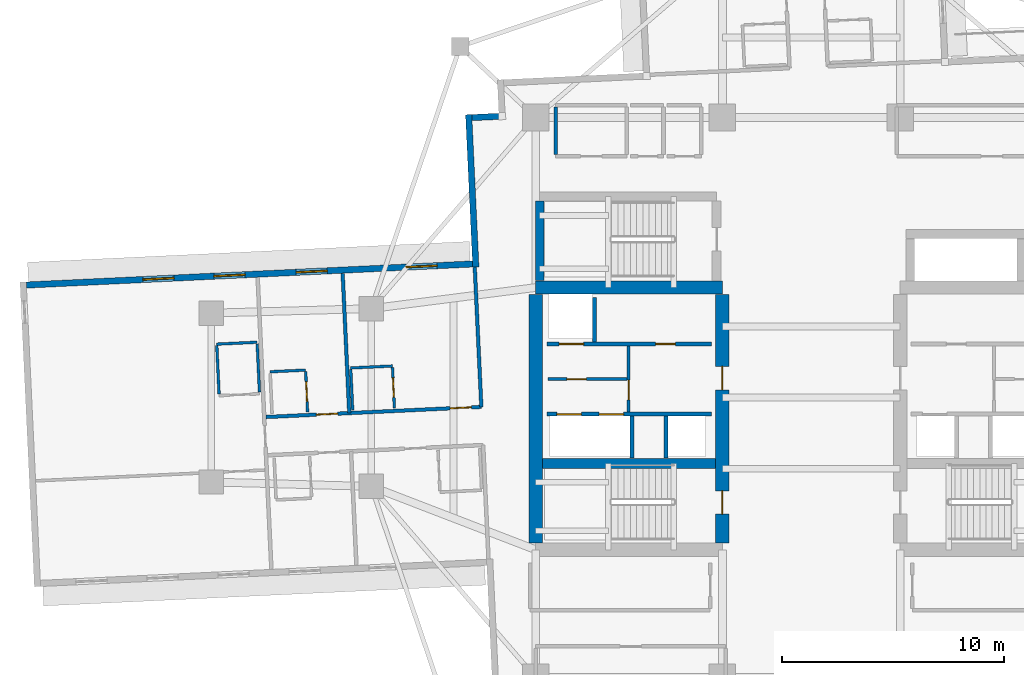
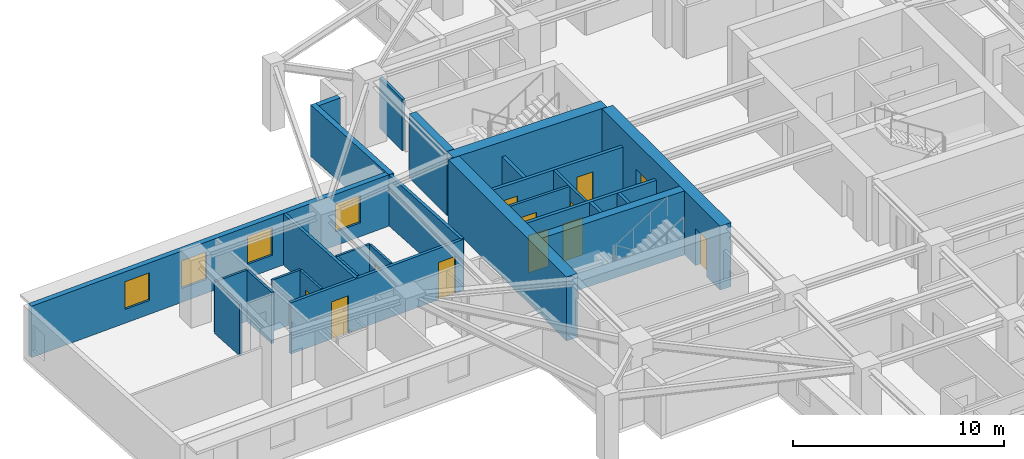
# One storey, part 5 of 14: 27 walls, 12 doors, 4 windows, 16 openings.
"""IFC4 building model written with IfcOpenShell, lengths in metres."""

from ifc_helpers import new_model, si_unit, direction, frame, frame_2d, origin, place, context, subcontext, project, spatial, rectangle, extrude, material, layer, layer_set, type_object, element, fill, save


model = new_model("IFC4")

# Units and contexts
model_context = context("Model", 3, precision=1e-05, world=origin(), true_north=direction((0.0, 1.0)))
body_context = subcontext(model_context, "Body", "Model", "MODEL_VIEW")
ifc_project = project(units=[si_unit("LENGTHUNIT", "METRE"), si_unit("AREAUNIT", "SQUARE_METRE"), si_unit("VOLUMEUNIT", "CUBIC_METRE"), si_unit("PLANEANGLEUNIT", "RADIAN"), si_unit("MASSUNIT", "GRAM", prefix="KILO")], contexts=[model_context])

# Site, building, storey
site_placement = place(None, origin())
site = spatial("IfcSite", under=ifc_project, at=site_placement, CompositionType="ELEMENT")
building_placement = place(site_placement, origin())
building = spatial("IfcBuilding", under=site, at=building_placement, Name="Qingluan Cross Belvedere", CompositionType="ELEMENT")
storey_placement = place(building_placement, frame((0.0, 0.0, 132.0)))
storey = spatial("IfcBuildingStorey", under=building, at=storey_placement, Name="L33", CompositionType="ELEMENT", Elevation=132.0)

# Walls
ifc_material_1 = material(Name="Concrete C50", Category="concrete")
ifc_layer_1 = layer(ifc_material_1, 0.449951171875, Name="CoreShearWall_450")
ifc_layer_set_1 = layer_set([ifc_layer_1], Name="Concrete C50")
wall_type_1 = type_object("IfcWallType", Name="CoreShearWall_450", PredefinedType="SHEAR", material=ifc_layer_set_1)
wall_1_placement = place(storey_placement, frame((-12.094970703125, -2.9599609375, 0.0), z_axis=(0.0, 0.0, 1.0), x_axis=(1.0, 0.0, 0.0)))
element("IfcWall", 1, at=wall_1_placement, inside=storey, type_object=wall_type_1, Name="Split core W shear wall L33-M", PredefinedType="SHEAR", context=body_context, shape_type="SweptSolid", body=[
    extrude(rectangle(XDim=7.7900390625, YDim=0.449951171875, at=frame_2d((3.89501953125, 0.0))), origin(), (0.0, 0.0, 1.0), 3.699951171875),
])
wall_2_placement = place(storey_placement, frame((-12.219970703125, 5.2548828125, 0.0), z_axis=(0.0, 0.0, 1.0), x_axis=(0.0, 1.0, 0.0)))
element("IfcWall", 2, at=wall_2_placement, inside=storey, type_object=wall_type_1, Name="Stair ST3 structural wall W L33", PredefinedType="SHEAR", context=body_context, shape_type="SweptSolid", body=[
    extrude(rectangle(XDim=3.580078125, YDim=0.39990234375, at=frame_2d((1.7900390625, 0.0))), origin(), (0.0, 0.0, 1.0), 3.699951171875),
])
ifc_material_2 = material(Name="Concrete C60", Category="concrete")
ifc_layer_2 = layer(ifc_material_2, 0.60009765625, Name="CoreShearWall_600")
ifc_layer_set_2 = layer_set([ifc_layer_2], Name="Concrete C60")
wall_type_2 = type_object("IfcWallType", Name="CoreShearWall_600", PredefinedType="SHEAR", material=ifc_layer_set_2)
wall_3_placement = place(storey_placement, frame((-12.39990234375, 4.949951171875, 0.0), z_axis=(0.0, 0.0, 1.0), x_axis=(1.0, 0.0, 0.0)))
element("IfcWall", 3, at=wall_3_placement, inside=storey, type_object=wall_type_2, Name="Split core W shear wall L33-N", PredefinedType="SHEAR", context=body_context, shape_type="SweptSolid", body=[
    extrude(rectangle(XDim=8.39990234375, YDim=0.60009765625, at=frame_2d((4.199951171875, 0.0))), origin(), (0.0, 0.0, 1.0), 3.699951171875),
])
wall_4_placement = place(storey_placement, frame((-12.39990234375, -6.544921875, 0.0), z_axis=(0.0, 0.0, 1.0), x_axis=(0.0, 1.0, 0.0)))
element("IfcWall", 4, at=wall_4_placement, inside=storey, type_object=wall_type_2, Name="Split core W shear wall L33-W", PredefinedType="SHEAR", context=body_context, shape_type="SweptSolid", body=[
    extrude(rectangle(XDim=11.18994140625, YDim=0.60009765625, at=frame_2d((5.594970703125, 0.0))), origin(), (0.0, 0.0, 1.0), 3.699951171875),
])

# Wall, openings, doors
wall_5_placement = place(storey_placement, frame((-4.0, -6.544921875, 0.0), z_axis=(0.0, 0.0, 1.0), x_axis=(0.0, 1.0, 0.0)))
wall_5 = element("IfcWall", 5, at=wall_5_placement, inside=storey, type_object=wall_type_2, Name="Split core W shear wall L33-E", PredefinedType="SHEAR", context=body_context, shape_type="SweptSolid", body=[
    extrude(rectangle(XDim=11.18994140625, YDim=0.60009765625, at=frame_2d((5.594970703125, 0.0))), origin(), (0.0, 0.0, 1.0), 3.699951171875),
])
opening_1_placement = place(wall_5_placement, frame((1.294921875, 0.0, 0.0)))
opening_1 = element("IfcOpeningElement", 6, at=opening_1_placement, cuts=wall_5, Name="Opening FD-B11", PredefinedType="OPENING", context=body_context, shape_type="SweptSolid", body=[
    extrude(rectangle(XDim=1.050048828125, YDim=2.14990234375, at=frame_2d((0.52490234375, 1.074951171875))), frame((0.0, 0.31005859375, 0.0), z_axis=(0.0, -1.0, 0.0), x_axis=(1.0, 0.0, 0.0)), (0.0, 0.0, 1.0), 0.6201171875),
])
opening_2_placement = place(wall_5_placement, frame((6.89501953125, 0.0, 0.0)))
opening_2 = element("IfcOpeningElement", 7, at=opening_2_placement, cuts=wall_5, Name="Opening FD-B11", PredefinedType="OPENING", context=body_context, shape_type="SweptSolid", body=[
    extrude(rectangle(XDim=1.050048828125, YDim=2.14990234375, at=frame_2d((0.52490234375, 1.074951171875))), frame((0.0, 0.31005859375, 0.0), z_axis=(0.0, -1.0, 0.0), x_axis=(1.0, 0.0, 0.0)), (0.0, 0.0, 1.0), 0.6201171875),
])
ifc_material_3 = material(Name="Steel Class B smoke-seal fire door", Category="steel")
door_type_1 = type_object("IfcDoorType", Name="StairLobbyFireDoor_FDB", OperationType="NOTDEFINED", PredefinedType="DOOR", material=ifc_material_3)
door_1_placement = place(opening_1_placement, origin())
door_1 = element("IfcDoor", 8, at=door_1_placement, inside=storey, type_object=door_type_1, Name="Smoke-proof stair ST1 fire door L33", OperationType="SINGLE_SWING_LEFT", OverallHeight=2.14990234375, OverallWidth=1.050048828125, PredefinedType="DOOR", context=body_context, shape_type="SweptSolid", body=[
    extrude(rectangle(XDim=1.050048828125, YDim=2.14990234375, at=frame_2d((0.52490234375, 1.074951171875))), frame((0.0, 0.02490234375, 0.0), z_axis=(0.0, -1.0, 0.0), x_axis=(1.0, 0.0, 0.0)), (0.0, 0.0, 1.0), 0.050048828125),
])
fill(opening_1, door_1)
door_2_placement = place(opening_2_placement, origin())
door_2 = element("IfcDoor", 9, at=door_2_placement, inside=storey, type_object=door_type_1, Name="Firefighting lobby West fire door L33", OperationType="SINGLE_SWING_LEFT", OverallHeight=2.14990234375, OverallWidth=1.050048828125, PredefinedType="DOOR", context=body_context, shape_type="SweptSolid", body=[
    extrude(rectangle(XDim=1.050048828125, YDim=2.14990234375, at=frame_2d((0.52490234375, 1.074951171875))), frame((0.0, 0.02490234375, 0.0), z_axis=(0.0, -1.0, 0.0), x_axis=(1.0, 0.0, 0.0)), (0.0, 0.0, 1.0), 0.050048828125),
])
fill(opening_2, door_2)

# Wall, opening, door
ifc_material_4 = material(Name="Gypsum plasterboard on steel stud acoustic partition", Category="steel")
ifc_layer_3 = layer(ifc_material_4, 0.159912109375, Name="CorridorPartition_160")
ifc_layer_set_3 = layer_set([ifc_layer_3], Name="Gypsum plasterboard on steel stud acoustic partition")
wall_type_3 = type_object("IfcWallType", Name="CorridorPartition_160", PredefinedType="PARTITIONING", material=ifc_layer_set_3)
wall_6_placement = place(storey_placement, frame((-11.85009765625, 0.830078125, 0.0), z_axis=(0.0, 0.0, 1.0), x_axis=(1.0, 0.0, 0.0)))
wall_6 = element("IfcWall", 10, at=wall_6_placement, inside=storey, type_object=wall_type_3, Name="Partition L33:w", PredefinedType="PARTITIONING", context=body_context, shape_type="SweptSolid", body=[
    extrude(rectangle(XDim=3.552001953125, YDim=0.139892578125, at=frame_2d((1.77587890625, 0.0))), origin(), (0.0, 0.0, 1.0), 2.9599609375),
])
opening_3_placement = place(wall_6_placement, frame((0.85009765625, 0.0, 0.0)))
opening_3 = element("IfcOpeningElement", 11, at=opening_3_placement, cuts=wall_6, Name="Opening FD-B10", PredefinedType="OPENING", context=body_context, shape_type="SweptSolid", body=[
    extrude(rectangle(XDim=0.8798828125, YDim=2.10009765625, at=frame_2d((0.43994140625, 1.050048828125))), frame((0.0, 0.079833984375, 0.0), z_axis=(0.0, -1.0, 0.0), x_axis=(1.0, 0.0, 0.0)), (0.0, 0.0, 1.0), 0.159912109375),
])
ifc_material_5 = material(Name="Steel Class B service fire door", Category="steel")
door_type_2 = type_object("IfcDoorType", Name="RiserServiceFireDoor_FDB", OperationType="NOTDEFINED", PredefinedType="DOOR", material=ifc_material_5)
door_3_placement = place(opening_3_placement, origin())
door_3 = element("IfcDoor", 12, at=door_3_placement, inside=storey, type_object=door_type_2, Name="Service closet inner door L33", OperationType="SINGLE_SWING_RIGHT", OverallHeight=2.10009765625, OverallWidth=0.8798828125, PredefinedType="DOOR", context=body_context, shape_type="SweptSolid", body=[
    extrude(rectangle(XDim=0.8798828125, YDim=2.10009765625, at=frame_2d((0.43994140625, 1.050048828125))), frame((0.0, 0.02490234375, 0.0), z_axis=(0.0, -1.0, 0.0), x_axis=(1.0, 0.0, 0.0)), (0.0, 0.0, 1.0), 0.050048828125),
])
fill(opening_3, door_3)

# Wall
wall_7_placement = place(storey_placement, frame((-11.5, 10.93505859375, 0.0), z_axis=(0.0, 0.0, 1.0), x_axis=(0.0, 1.0, 0.0)))
element("IfcWall", 13, at=wall_7_placement, inside=storey, type_object=wall_type_3, Name="Partition L33:q_nw_occ:W", PredefinedType="PARTITIONING", context=body_context, shape_type="SweptSolid", body=[
    extrude(rectangle(XDim=2.1298828125, YDim=0.159912109375, at=frame_2d((1.06494140625, 0.0))), origin(), (0.0, 0.0, 1.0), 2.9599609375),
])

# Wall, openings, doors
wall_8_placement = place(storey_placement, frame((-14.8466796875, -0.419921875, 0.0), z_axis=(0.0, 0.0, 1.0), x_axis=(-0.998890575268, -0.047091598416, 0.0)))
wall_8 = element("IfcWall", 14, at=wall_8_placement, inside=storey, type_object=wall_type_3, Name="Partition L33:W:c0", PredefinedType="PARTITIONING", context=body_context, shape_type="SweptSolid", body=[
    extrude(rectangle(XDim=9.699951171875, YDim=0.159912109375, at=frame_2d((4.85009765625, 0.0))), origin(), (0.0, 0.0, 1.0), 2.9599609375),
])
opening_4_placement = place(wall_8_placement, frame((0.449951171875, 0.0, 0.0)))
opening_4 = element("IfcOpeningElement", 15, at=opening_4_placement, cuts=wall_8, Name="Opening GD-10", PredefinedType="OPENING", context=body_context, shape_type="SweptSolid", body=[
    extrude(rectangle(XDim=0.9599609375, YDim=2.14990234375, at=frame_2d((0.47998046875, 1.074951171875))), frame((0.0, 0.08984375, 0.0), z_axis=(0.0, -1.0, 0.0), x_axis=(1.0, 0.0, 0.0)), (0.0, 0.0, 1.0), 0.179931640625),
])
opening_5_placement = place(wall_8_placement, frame((6.467041015625, 0.0, 0.0)))
opening_5 = element("IfcOpeningElement", 16, at=opening_5_placement, cuts=wall_8, Name="Opening GD-10", PredefinedType="OPENING", context=body_context, shape_type="SweptSolid", body=[
    extrude(rectangle(XDim=0.9599609375, YDim=2.14990234375, at=frame_2d((0.47998046875, 1.074951171875))), frame((0.0, 0.08984375, 0.0), z_axis=(0.0, -1.0, 0.0), x_axis=(1.0, 0.0, 0.0)), (0.0, 0.0, 1.0), 0.179931640625),
])
ifc_material_6 = material(Name="Timber oak fire-rated acoustic guestroom door", Category="wood")
door_type_3 = type_object("IfcDoorType", Name="GuestEntryDoor_FD60", OperationType="NOTDEFINED", PredefinedType="DOOR", material=ifc_material_6)
door_4_placement = place(opening_4_placement, origin())
door_4 = element("IfcDoor", 17, at=door_4_placement, inside=storey, type_object=door_type_3, Name="Guest entry fire door 3307", OperationType="SINGLE_SWING_RIGHT", OverallHeight=2.14990234375, OverallWidth=0.9599609375, PredefinedType="DOOR", context=body_context, shape_type="SweptSolid", body=[
    extrude(rectangle(XDim=0.9599609375, YDim=2.14990234375, at=frame_2d((0.47998046875, 1.074951171875))), frame((0.0, 0.02490234375, 0.0), z_axis=(0.0, -1.0, 0.0), x_axis=(1.0, 0.0, 0.0)), (0.0, 0.0, 1.0), 0.050048828125),
])
fill(opening_4, door_4)
door_5_placement = place(opening_5_placement, origin())
door_5 = element("IfcDoor", 18, at=door_5_placement, inside=storey, type_object=door_type_3, Name="Guest entry fire door 3308", OperationType="SINGLE_SWING_RIGHT", OverallHeight=2.14990234375, OverallWidth=0.9599609375, PredefinedType="DOOR", context=body_context, shape_type="SweptSolid", body=[
    extrude(rectangle(XDim=0.9599609375, YDim=2.14990234375, at=frame_2d((0.47998046875, 1.074951171875))), frame((0.0, 0.02490234375, 0.0), z_axis=(0.0, -1.0, 0.0), x_axis=(1.0, 0.0, 0.0)), (0.0, 0.0, 1.0), 0.050048828125),
])
fill(opening_5, door_5)

# Walls
for number, where, z_axis, x_axis, name in (
    (19, (-14.8466796875, -0.419921875, 0.0), (0.0, 0.0, 1.0), (-0.047104274115, 0.998889977605, 0.0), "Partition L33:W:s0"),
    (20, (-20.7900390625, -0.7001953125, 0.0), (0.0, 0.0, 1.0), (-0.047104274115, 0.998889977605, 0.0), "Partition L33:W:d0_0"),
):
    element("IfcWall", number, at=place(storey_placement, frame(where, z_axis=z_axis, x_axis=x_axis)), inside=storey, type_object=wall_type_3, Name=name, PredefinedType="PARTITIONING", context=body_context, shape_type="SweptSolid", body=[
        extrude(rectangle(XDim=6.292236328125, YDim=0.159912109375, at=frame_2d((3.14599609375, 0.0))), origin(), (0.0, 0.0, 1.0), 2.9599609375),
    ])

# Wall, opening, door
ifc_material_7 = material(Name="Moisture-resistant gypsum board lining")
ifc_layer_4 = layer(ifc_material_7, 0.1201171875, Name="EnsuiteWetPartition_120")
ifc_layer_set_4 = layer_set([ifc_layer_4], Name="Moisture-resistant gypsum board lining")
wall_type_4 = type_object("IfcWallType", Name="EnsuiteWetPartition_120", PredefinedType="PARTITIONING", material=ifc_layer_set_4)
wall_9_placement = place(storey_placement, frame((-18.759033203125, -0.464111328125, 0.0), z_axis=(0.0, 0.0, 1.0), x_axis=(-0.047087116047, 0.998890786574, 0.0)))
wall_9 = element("IfcWall", 21, at=wall_9_placement, inside=storey, type_object=wall_type_4, Name="Partition L33:W:bs0_0", PredefinedType="PARTITIONING", context=body_context, shape_type="SweptSolid", body=[
    extrude(rectangle(XDim=1.81982421875, YDim=0.1201171875, at=frame_2d((0.909912109375, 0.0))), origin(), (0.0, 0.0, 1.0), 2.9599609375),
])
opening_6_placement = place(wall_9_placement, frame((0.469970703125, 0.0, 0.0)))
opening_6 = element("IfcOpeningElement", 22, at=opening_6_placement, cuts=wall_9, Name="Opening BD-09", PredefinedType="OPENING", context=body_context, shape_type="SweptSolid", body=[
    extrude(rectangle(XDim=0.8798828125, YDim=2.10009765625, at=frame_2d((0.43994140625, 1.050048828125))), frame((0.0, 0.070068359375, 0.0), z_axis=(0.0, -1.0, 0.0), x_axis=(1.0, 0.0, 0.0)), (0.0, 0.0, 1.0), 0.14013671875),
])
ifc_material_8 = material(Name="Moisture-sealed timber en-suite door", Category="wood")
door_type_4 = type_object("IfcDoorType", Name="BathroomDoor_880", OperationType="NOTDEFINED", PredefinedType="DOOR", material=ifc_material_8)
door_6_placement = place(opening_6_placement, origin())
door_6 = element("IfcDoor", 23, at=door_6_placement, inside=storey, type_object=door_type_4, Name="Bathroom door 3307", OperationType="SINGLE_SWING_LEFT", OverallHeight=2.10009765625, OverallWidth=0.8798828125, PredefinedType="DOOR", context=body_context, shape_type="SweptSolid", body=[
    extrude(rectangle(XDim=0.8798828125, YDim=2.10009765625, at=frame_2d((0.43994140625, 1.050048828125))), frame((0.0, 0.02490234375, 0.0), z_axis=(0.0, -1.0, 0.0), x_axis=(1.0, 0.0, 0.0)), (0.0, 0.0, 1.0), 0.050048828125),
])
fill(opening_6, door_6)

# Walls
wall_10_placement = place(storey_placement, frame((-20.636962890625, -0.552734375, 0.0), z_axis=(0.0, 0.0, 1.0), x_axis=(-0.047087116047, 0.998890786574, 0.0)))
element("IfcWall", 24, at=wall_10_placement, inside=storey, type_object=wall_type_4, Name="Partition L33:W:bw0_0", PredefinedType="PARTITIONING", context=body_context, shape_type="SweptSolid", body=[
    extrude(rectangle(XDim=1.81982421875, YDim=0.1201171875, at=frame_2d((0.909912109375, 0.0))), origin(), (0.0, 0.0, 1.0), 2.9599609375),
])
wall_11_placement = place(storey_placement, frame((-18.847900390625, 1.418701171875, 0.0), z_axis=(0.0, 0.0, 1.0), x_axis=(-0.998888030748, -0.047145540913, 0.0)))
element("IfcWall", 25, at=wall_11_placement, inside=storey, type_object=wall_type_4, Name="Partition L33:W:bn0_0", PredefinedType="PARTITIONING", context=body_context, shape_type="SweptSolid", body=[
    extrude(rectangle(XDim=1.8798828125, YDim=0.1201171875, at=frame_2d((0.93994140625, 0.0))), origin(), (0.0, 0.0, 1.0), 2.9599609375),
])

# Wall, opening, door
wall_12_placement = place(storey_placement, frame((-22.66455078125, -0.6484375, 0.0), z_axis=(0.0, 0.0, 1.0), x_axis=(-0.047214641863, 0.998884766924, 0.0)))
wall_12 = element("IfcWall", 26, at=wall_12_placement, inside=storey, type_object=wall_type_4, Name="Partition L33:W:bs0_1", PredefinedType="PARTITIONING", context=body_context, shape_type="SweptSolid", body=[
    extrude(rectangle(XDim=1.820068359375, YDim=0.1201171875, at=frame_2d((0.91015625, 0.0))), origin(), (0.0, 0.0, 1.0), 2.9599609375),
])
opening_7_placement = place(wall_12_placement, frame((0.469970703125, 0.0, 0.0)))
opening_7 = element("IfcOpeningElement", 27, at=opening_7_placement, cuts=wall_12, Name="Opening BD-09", PredefinedType="OPENING", context=body_context, shape_type="SweptSolid", body=[
    extrude(rectangle(XDim=0.8798828125, YDim=2.10009765625, at=frame_2d((0.43994140625, 1.050048828125))), frame((0.0, 0.070068359375, 0.0), z_axis=(0.0, -1.0, 0.0), x_axis=(1.0, 0.0, 0.0)), (0.0, 0.0, 1.0), 0.14013671875),
])
door_7_placement = place(opening_7_placement, origin())
door_7 = element("IfcDoor", 28, at=door_7_placement, inside=storey, type_object=door_type_4, Name="Bathroom door 3308", OperationType="SINGLE_SWING_LEFT", OverallHeight=2.10009765625, OverallWidth=0.8798828125, PredefinedType="DOOR", context=body_context, shape_type="SweptSolid", body=[
    extrude(rectangle(XDim=0.8798828125, YDim=2.10009765625, at=frame_2d((0.43994140625, 1.050048828125))), frame((0.0, 0.02490234375, 0.0), z_axis=(0.0, -1.0, 0.0), x_axis=(1.0, 0.0, 0.0)), (0.0, 0.0, 1.0), 0.050048828125),
])
fill(opening_7, door_7)

# Walls
wall_13_placement = place(storey_placement, frame((-22.75341796875, 1.234619140625, 0.0), z_axis=(0.0, 0.0, 1.0), x_axis=(-0.998887730798, -0.047151895633, 0.0)))
element("IfcWall", 29, at=wall_13_placement, inside=storey, type_object=wall_type_4, Name="Partition L33:W:bn0_1", PredefinedType="PARTITIONING", context=body_context, shape_type="SweptSolid", body=[
    extrude(rectangle(XDim=1.599853515625, YDim=0.1201171875, at=frame_2d((0.7998046875, 0.0))), origin(), (0.0, 0.0, 1.0), 2.9599609375),
])
wall_14_placement = place(storey_placement, frame((-24.828857421875, 0.24072265625, 0.0), z_axis=(0.0, 0.0, 1.0), x_axis=(-0.047150103183, 0.998887815408, 0.0)))
element("IfcWall", 30, at=wall_14_placement, inside=storey, type_object=wall_type_4, Name="Partition L33:Wcap:b2a", PredefinedType="PARTITIONING", context=body_context, shape_type="SweptSolid", body=[
    extrude(rectangle(XDim=2.179931640625, YDim=0.1201171875, at=frame_2d((1.08984375, 0.0))), origin(), (0.0, 0.0, 1.0), 2.9599609375),
])
wall_15_placement = place(storey_placement, frame((-26.64697265625, 0.15478515625, 0.0), z_axis=(0.0, 0.0, 1.0), x_axis=(-0.047033094092, 0.998893331673, 0.0)))
element("IfcWall", 31, at=wall_15_placement, inside=storey, type_object=wall_type_4, Name="Partition L33:Wcap:b2b", PredefinedType="PARTITIONING", context=body_context, shape_type="SweptSolid", body=[
    extrude(rectangle(XDim=2.18017578125, YDim=0.1201171875, at=frame_2d((1.090087890625, 0.0))), origin(), (0.0, 0.0, 1.0), 2.9599609375),
])
wall_16_placement = place(storey_placement, frame((-24.934814453125, 2.48828125, 0.0), z_axis=(0.0, 0.0, 1.0), x_axis=(-0.998884766924, -0.047214641863, 0.0)))
element("IfcWall", 32, at=wall_16_placement, inside=storey, type_object=wall_type_4, Name="Partition L33:Wcap:b2n", PredefinedType="PARTITIONING", context=body_context, shape_type="SweptSolid", body=[
    extrude(rectangle(XDim=1.820068359375, YDim=0.1201171875, at=frame_2d((0.91015625, 0.0))), origin(), (0.0, 0.0, 1.0), 2.9599609375),
])

# Wall, openings, windows
ifc_material_9 = material(Name="Precast concrete C45", Category="concrete")
ifc_layer_5 = layer(ifc_material_9, 0.280029296875, Name="PrecastFacadeWall_280")
ifc_layer_set_5 = layer_set([ifc_layer_5], Name="Precast concrete C45")
wall_type_5 = type_object("IfcWallType", Name="PrecastFacadeWall_280", PredefinedType="STANDARD", material=ifc_layer_set_5)
wall_17_placement = place(storey_placement, frame((-15.239990234375, 6.0087890625, 0.0), z_axis=(0.0, 0.0, 1.0), x_axis=(-0.998890015344, -0.047103473814, 0.0)))
wall_17 = element("IfcWall", 33, at=wall_17_placement, inside=storey, type_object=wall_type_5, Name="Facade wall L33-WA", PredefinedType="STANDARD", context=body_context, shape_type="SweptSolid", body=[
    extrude(rectangle(XDim=20.099853515625, YDim=0.280029296875, at=frame_2d((10.0498046875, 0.0))), origin(), (0.0, 0.0, 1.0), 2.969970703125),
])
opening_8_placement = place(wall_17_placement, frame((1.60009765625, 0.0, 0.800048828125)))
opening_8 = element("IfcOpeningElement", 34, at=opening_8_placement, cuts=wall_17, Name="Opening W-01", PredefinedType="OPENING", context=body_context, shape_type="SweptSolid", body=[
    extrude(rectangle(XDim=1.39990234375, YDim=1.60009765625, at=frame_2d((0.699951171875, 0.800048828125))), frame((0.0, 0.14990234375, 0.0), z_axis=(0.0, -1.0, 0.0), x_axis=(1.0, 0.0, 0.0)), (0.0, 0.0, 1.0), 0.300048828125),
])
opening_9_placement = place(wall_17_placement, frame((6.550048828125, 0.0, 0.800048828125)))
opening_9 = element("IfcOpeningElement", 35, at=opening_9_placement, cuts=wall_17, Name="Opening W-01", PredefinedType="OPENING", context=body_context, shape_type="SweptSolid", body=[
    extrude(rectangle(XDim=1.39990234375, YDim=1.60009765625, at=frame_2d((0.699951171875, 0.800048828125))), frame((0.0, 0.14990234375, 0.0), z_axis=(0.0, -1.0, 0.0), x_axis=(1.0, 0.0, 0.0)), (0.0, 0.0, 1.0), 0.300048828125),
])
opening_10_placement = place(wall_17_placement, frame((10.25, 0.0, 0.800048828125)))
opening_10 = element("IfcOpeningElement", 36, at=opening_10_placement, cuts=wall_17, Name="Opening W-01", PredefinedType="OPENING", context=body_context, shape_type="SweptSolid", body=[
    extrude(rectangle(XDim=1.39990234375, YDim=1.60009765625, at=frame_2d((0.699951171875, 0.800048828125))), frame((0.0, 0.14990234375, 0.0), z_axis=(0.0, -1.0, 0.0), x_axis=(1.0, 0.0, 0.0)), (0.0, 0.0, 1.0), 0.300048828125),
])
opening_11_placement = place(wall_17_placement, frame((13.449951171875, 0.0, 0.800048828125)))
opening_11 = element("IfcOpeningElement", 37, at=opening_11_placement, cuts=wall_17, Name="Opening W-01", PredefinedType="OPENING", context=body_context, shape_type="SweptSolid", body=[
    extrude(rectangle(XDim=1.39990234375, YDim=1.60009765625, at=frame_2d((0.699951171875, 0.800048828125))), frame((0.0, 0.14990234375, 0.0), z_axis=(0.0, -1.0, 0.0), x_axis=(1.0, 0.0, 0.0)), (0.0, 0.0, 1.0), 0.300048828125),
])
ifc_material_10 = material(Name="Thermally broken triple Low-E glass in aluminium frame", Category="aluminium")
window_type = type_object("IfcWindowType", Name="TriRibbonWin_1400x1600", PartitioningType="SINGLE_PANEL", PredefinedType="WINDOW", material=ifc_material_10)
window_1_placement = place(opening_8_placement, origin())
window_1 = element("IfcWindow", 38, at=window_1_placement, inside=storey, type_object=window_type, Name="Ribbon window L33-WA-1", OverallHeight=1.60009765625, OverallWidth=1.39990234375, PartitioningType="SINGLE_PANEL", PredefinedType="WINDOW", context=body_context, shape_type="SweptSolid", body=[
    extrude(rectangle(XDim=1.39990234375, YDim=1.60009765625, at=frame_2d((0.699951171875, 0.800048828125))), frame((0.0, 0.030029296875, 0.0), z_axis=(0.0, -1.0, 0.0), x_axis=(1.0, 0.0, 0.0)), (0.0, 0.0, 1.0), 0.06005859375),
])
fill(opening_8, window_1)
window_2_placement = place(opening_9_placement, origin())
window_2 = element("IfcWindow", 39, at=window_2_placement, inside=storey, type_object=window_type, Name="Ribbon window L33-WA-2", OverallHeight=1.60009765625, OverallWidth=1.39990234375, PartitioningType="SINGLE_PANEL", PredefinedType="WINDOW", context=body_context, shape_type="SweptSolid", body=[
    extrude(rectangle(XDim=1.39990234375, YDim=1.60009765625, at=frame_2d((0.699951171875, 0.800048828125))), frame((0.0, 0.030029296875, 0.0), z_axis=(0.0, -1.0, 0.0), x_axis=(1.0, 0.0, 0.0)), (0.0, 0.0, 1.0), 0.06005859375),
])
fill(opening_9, window_2)
window_3_placement = place(opening_10_placement, origin())
window_3 = element("IfcWindow", 40, at=window_3_placement, inside=storey, type_object=window_type, Name="Ribbon window L33-WA-3", OverallHeight=1.60009765625, OverallWidth=1.39990234375, PartitioningType="SINGLE_PANEL", PredefinedType="WINDOW", context=body_context, shape_type="SweptSolid", body=[
    extrude(rectangle(XDim=1.39990234375, YDim=1.60009765625, at=frame_2d((0.699951171875, 0.800048828125))), frame((0.0, 0.030029296875, 0.0), z_axis=(0.0, -1.0, 0.0), x_axis=(1.0, 0.0, 0.0)), (0.0, 0.0, 1.0), 0.06005859375),
])
fill(opening_10, window_3)
window_4_placement = place(opening_11_placement, origin())
window_4 = element("IfcWindow", 41, at=window_4_placement, inside=storey, type_object=window_type, Name="Ribbon window L33-WA-4", OverallHeight=1.60009765625, OverallWidth=1.39990234375, PartitioningType="SINGLE_PANEL", PredefinedType="WINDOW", context=body_context, shape_type="SweptSolid", body=[
    extrude(rectangle(XDim=1.39990234375, YDim=1.60009765625, at=frame_2d((0.699951171875, 0.800048828125))), frame((0.0, 0.030029296875, 0.0), z_axis=(0.0, -1.0, 0.0), x_axis=(1.0, 0.0, 0.0)), (0.0, 0.0, 1.0), 0.06005859375),
])
fill(opening_11, window_4)

# Walls
wall_18_placement = place(storey_placement, frame((-15.093505859375, 5.87548828125, 0.0), z_axis=(0.0, 0.0, 1.0), x_axis=(-0.04712043756, 0.998889215261, 0.0)))
element("IfcWall", 42, at=wall_18_placement, inside=storey, type_object=wall_type_5, Name="Corner wall L33-NW1", PredefinedType="STANDARD", context=body_context, shape_type="SweptSolid", body=[
    extrude(rectangle(XDim=6.85986328125, YDim=0.280029296875, at=frame_2d((3.429931640625, 0.0))), origin(), (0.0, 0.0, 1.0), 2.969970703125),
])
wall_19_placement = place(storey_placement, frame((-15.270263671875, 12.5947265625, 0.0), z_axis=(0.0, 0.0, 1.0), x_axis=(0.998893795343, 0.047023245574, 0.0)))
element("IfcWall", 43, at=wall_19_placement, inside=storey, type_object=wall_type_5, Name="Corner wall L33-NW2", PredefinedType="STANDARD", context=body_context, shape_type="SweptSolid", body=[
    extrude(rectangle(XDim=1.22021484375, YDim=0.280029296875, at=frame_2d((0.610107421875, 0.0))), origin(), (0.0, 0.0, 1.0), 2.969970703125),
])

# Wall, openings, doors
ifc_material_11 = material(Name="Concrete C40", Category="concrete")
ifc_layer_6 = layer(ifc_material_11, 0.219970703125, Name="ShaftEnclosureWall_250")
ifc_layer_set_6 = layer_set([ifc_layer_6], Name="Concrete C40")
wall_type_6 = type_object("IfcWallType", Name="ShaftEnclosureWall_250", PredefinedType="SOLIDWALL", material=ifc_layer_set_6)
wall_20_placement = place(storey_placement, frame((-11.89990234375, 2.409912109375, 0.0), z_axis=(0.0, 0.0, 1.0), x_axis=(1.0, 0.0, 0.0)))
wall_20 = element("IfcWall", 44, at=wall_20_placement, inside=storey, type_object=wall_type_6, Name="Core-W north hoistway wall L33", PredefinedType="SOLIDWALL", context=body_context, shape_type="SweptSolid", body=[
    extrude(rectangle(XDim=7.419921875, YDim=0.179931640625, at=frame_2d((3.7099609375, 0.0))), origin(), (0.0, 0.0, 1.0), 2.9599609375),
])
opening_12_placement = place(wall_20_placement, frame((0.550048828125, 0.0, 0.0)))
opening_12 = element("IfcOpeningElement", 45, at=opening_12_placement, cuts=wall_20, Name="Opening LD-11", PredefinedType="OPENING", context=body_context, shape_type="SweptSolid", body=[
    extrude(rectangle(XDim=1.10009765625, YDim=2.14990234375, at=frame_2d((0.550048828125, 1.074951171875))), frame((0.0, 0.099853515625, 0.0), z_axis=(0.0, -1.0, 0.0), x_axis=(1.0, 0.0, 0.0)), (0.0, 0.0, 1.0), 0.199951171875),
])
opening_13_placement = place(wall_20_placement, frame((4.89990234375, 0.0, 0.0)))
opening_13 = element("IfcOpeningElement", 46, at=opening_13_placement, cuts=wall_20, Name="Opening FD-B10", PredefinedType="OPENING", context=body_context, shape_type="SweptSolid", body=[
    extrude(rectangle(XDim=0.8798828125, YDim=2.10009765625, at=frame_2d((0.43994140625, 1.050048828125))), frame((0.0, 0.099853515625, 0.0), z_axis=(0.0, -1.0, 0.0), x_axis=(1.0, 0.0, 0.0)), (0.0, 0.0, 1.0), 0.199951171875),
])
ifc_material_12 = material(Name="Brushed stainless steel centre-opening lift landing door", Category="steel")
door_type_5 = type_object("IfcDoorType", Name="LiftLandingSlidingDoor_1100", OperationType="DOUBLE_DOOR_SLIDING", PredefinedType="DOOR", material=ifc_material_12)
door_8_placement = place(opening_12_placement, origin())
door_8 = element("IfcDoor", 47, at=door_8_placement, inside=storey, type_object=door_type_5, Name="Lift landing sliding door FL1 L33", OperationType="DOUBLE_DOOR_SLIDING", OverallHeight=2.14990234375, OverallWidth=1.10009765625, PredefinedType="DOOR", context=body_context, shape_type="SweptSolid", body=[
    extrude(rectangle(XDim=1.10009765625, YDim=2.14990234375, at=frame_2d((0.550048828125, 1.074951171875))), frame((0.0, 0.02490234375, 0.0), z_axis=(0.0, -1.0, 0.0), x_axis=(1.0, 0.0, 0.0)), (0.0, 0.0, 1.0), 0.050048828125),
])
fill(opening_12, door_8)
door_9_placement = place(opening_13_placement, origin())
door_9 = element("IfcDoor", 48, at=door_9_placement, inside=storey, type_object=door_type_2, Name="Housekeeping supply room door W L33", OperationType="SINGLE_SWING_RIGHT", OverallHeight=2.10009765625, OverallWidth=0.8798828125, PredefinedType="DOOR", context=body_context, shape_type="SweptSolid", body=[
    extrude(rectangle(XDim=0.8798828125, YDim=2.10009765625, at=frame_2d((0.43994140625, 1.050048828125))), frame((0.0, 0.02490234375, 0.0), z_axis=(0.0, -1.0, 0.0), x_axis=(1.0, 0.0, 0.0)), (0.0, 0.0, 1.0), 0.050048828125),
])
fill(opening_13, door_9)

wall_21_placement = place(storey_placement, frame((-11.89990234375, -0.75, 0.0), z_axis=(0.0, 0.0, 1.0), x_axis=(1.0, 0.0, 0.0)))
wall_21 = element("IfcWall", 49, at=wall_21_placement, inside=storey, type_object=wall_type_6, Name="Core-W mid hoistway wall L33", PredefinedType="SOLIDWALL", context=body_context, shape_type="SweptSolid", body=[
    extrude(rectangle(XDim=7.419921875, YDim=0.179931640625, at=frame_2d((3.7099609375, 0.0))), origin(), (0.0, 0.0, 1.0), 2.9599609375),
])
opening_14_placement = place(wall_21_placement, frame((0.449951171875, 0.0, 0.0)))
opening_14 = element("IfcOpeningElement", 50, at=opening_14_placement, cuts=wall_21, Name="Opening LD-11", PredefinedType="OPENING", context=body_context, shape_type="SweptSolid", body=[
    extrude(rectangle(XDim=1.10009765625, YDim=2.14990234375, at=frame_2d((0.550048828125, 1.074951171875))), frame((0.0, 0.099853515625, 0.0), z_axis=(0.0, -1.0, 0.0), x_axis=(1.0, 0.0, 0.0)), (0.0, 0.0, 1.0), 0.199951171875),
])
opening_15_placement = place(wall_21_placement, frame((2.35009765625, 0.0, 0.0)))
opening_15 = element("IfcOpeningElement", 51, at=opening_15_placement, cuts=wall_21, Name="Opening LD-11", PredefinedType="OPENING", context=body_context, shape_type="SweptSolid", body=[
    extrude(rectangle(XDim=1.10009765625, YDim=2.14990234375, at=frame_2d((0.550048828125, 1.074951171875))), frame((0.0, 0.099853515625, 0.0), z_axis=(0.0, -1.0, 0.0), x_axis=(1.0, 0.0, 0.0)), (0.0, 0.0, 1.0), 0.199951171875),
])
door_10_placement = place(opening_14_placement, origin())
door_10 = element("IfcDoor", 52, at=door_10_placement, inside=storey, type_object=door_type_5, Name="Lift landing sliding door LP5 L33", OperationType="DOUBLE_DOOR_SLIDING", OverallHeight=2.14990234375, OverallWidth=1.10009765625, PredefinedType="DOOR", context=body_context, shape_type="SweptSolid", body=[
    extrude(rectangle(XDim=1.10009765625, YDim=2.14990234375, at=frame_2d((0.550048828125, 1.074951171875))), frame((0.0, 0.02490234375, 0.0), z_axis=(0.0, -1.0, 0.0), x_axis=(1.0, 0.0, 0.0)), (0.0, 0.0, 1.0), 0.050048828125),
])
fill(opening_14, door_10)
door_11_placement = place(opening_15_placement, origin())
door_11 = element("IfcDoor", 53, at=door_11_placement, inside=storey, type_object=door_type_5, Name="Lift landing sliding door LP6 L33", OperationType="DOUBLE_DOOR_SLIDING", OverallHeight=2.14990234375, OverallWidth=1.10009765625, PredefinedType="DOOR", context=body_context, shape_type="SweptSolid", body=[
    extrude(rectangle(XDim=1.10009765625, YDim=2.14990234375, at=frame_2d((0.550048828125, 1.074951171875))), frame((0.0, 0.02490234375, 0.0), z_axis=(0.0, -1.0, 0.0), x_axis=(1.0, 0.0, 0.0)), (0.0, 0.0, 1.0), 0.050048828125),
])
fill(opening_15, door_11)

# Walls
wall_22_placement = place(storey_placement, frame((-9.760009765625, 2.5, 0.0), z_axis=(0.0, 0.0, 1.0), x_axis=(0.0, 1.0, 0.0)))
element("IfcWall", 54, at=wall_22_placement, inside=storey, type_object=wall_type_6, Name="Hoistway enclosure divider FL1E L33", PredefinedType="SOLIDWALL", context=body_context, shape_type="SweptSolid", body=[
    extrude(rectangle(XDim=1.989990234375, YDim=0.179931640625, at=frame_2d((0.9951171875, 0.0))), origin(), (0.0, 0.0, 1.0), 2.9599609375),
])
for number, where, z_axis, x_axis, name in (
    (55, (-8.06005859375, -2.72998046875, 0.0), (0.0, 0.0, 1.0), (0.0, 1.0, 0.0), "Hoistway enclosure divider LP6E L33"),
    (56, (-6.5400390625, -2.72998046875, 0.0), (0.0, 0.0, 1.0), (0.0, 1.0, 0.0), "Hoistway enclosure divider LP8W L33"),
):
    element("IfcWall", number, at=place(storey_placement, frame(where, z_axis=z_axis, x_axis=x_axis)), inside=storey, type_object=wall_type_6, Name=name, PredefinedType="SOLIDWALL", context=body_context, shape_type="SweptSolid", body=[
        extrude(rectangle(XDim=1.889892578125, YDim=0.179931640625, at=frame_2d((0.94482421875, 0.0))), origin(), (0.0, 0.0, 1.0), 2.9599609375),
    ])

# Wall, opening, door
wall_23_placement = place(storey_placement, frame((-8.219970703125, -0.64990234375, 0.0), z_axis=(0.0, 0.0, 1.0), x_axis=(0.0, 1.0, 0.0)))
wall_23 = element("IfcWall", 57, at=wall_23_placement, inside=storey, type_object=wall_type_6, Name="Core-W service corridor wall L33", PredefinedType="SOLIDWALL", context=body_context, shape_type="SweptSolid", body=[
    extrude(rectangle(XDim=2.9599609375, YDim=0.139892578125, at=frame_2d((1.47998046875, 0.0))), origin(), (0.0, 0.0, 1.0), 2.9599609375),
])
opening_16_placement = place(wall_23_placement, frame((0.550048828125, 0.0, 0.0)))
opening_16 = element("IfcOpeningElement", 58, at=opening_16_placement, cuts=wall_23, Name="Opening FD-B10", PredefinedType="OPENING", context=body_context, shape_type="SweptSolid", body=[
    extrude(rectangle(XDim=0.8798828125, YDim=2.10009765625, at=frame_2d((0.43994140625, 1.050048828125))), frame((0.0, 0.079833984375, 0.0), z_axis=(0.0, -1.0, 0.0), x_axis=(1.0, 0.0, 0.0)), (0.0, 0.0, 1.0), 0.159912109375),
])
door_12_placement = place(opening_16_placement, origin())
door_12 = element("IfcDoor", 59, at=door_12_placement, inside=storey, type_object=door_type_2, Name="Core-W service room door L33", OperationType="SINGLE_SWING_RIGHT", OverallHeight=2.10009765625, OverallWidth=0.8798828125, PredefinedType="DOOR", context=body_context, shape_type="SweptSolid", body=[
    extrude(rectangle(XDim=0.8798828125, YDim=2.10009765625, at=frame_2d((0.43994140625, 1.050048828125))), frame((0.0, 0.02490234375, 0.0), z_axis=(0.0, -1.0, 0.0), x_axis=(1.0, 0.0, 0.0)), (0.0, 0.0, 1.0), 0.050048828125),
])
fill(opening_16, door_12)

save(model, "model.ifc")
